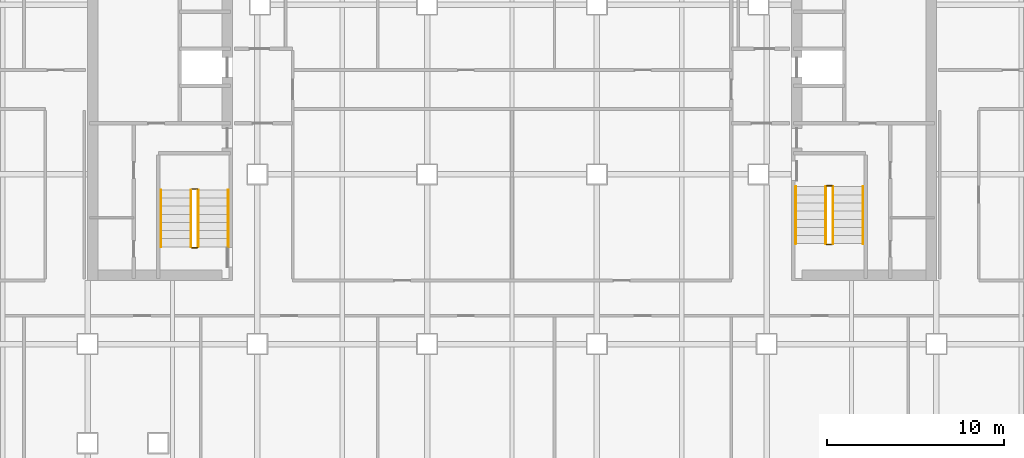
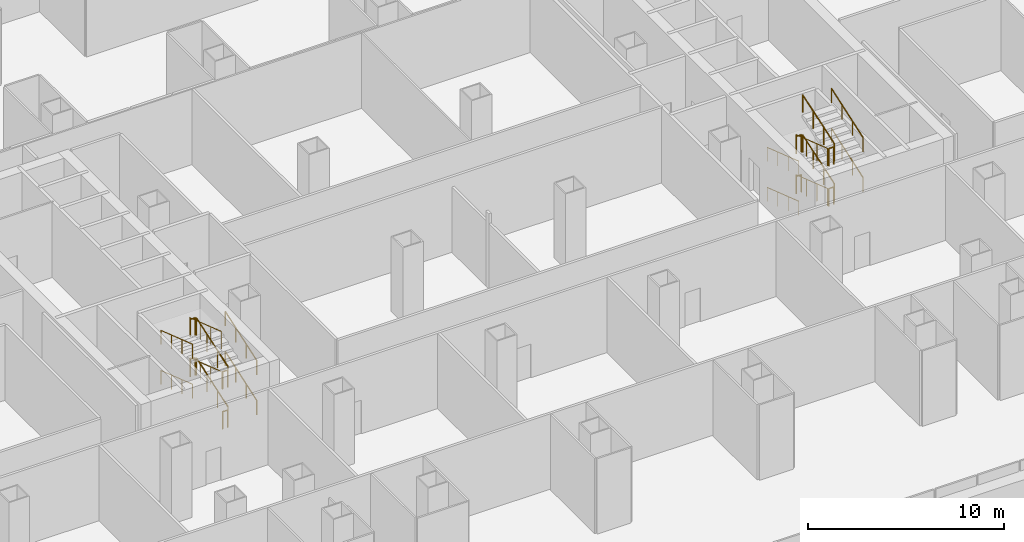
# One storey, part 11 of 11: 24 railings.
"""IFC4 building model written with IfcOpenShell, lengths in metres."""

from ifc_helpers import new_model, si_unit, direction, frame, origin, origin_2d, place, context, subcontext, project, spatial, circle, extrude, material, type_object, element, save


model = new_model("IFC4")

# Units and contexts
model_context = context("Model", 3, precision=1e-05, world=origin(), true_north=direction((0.0, 1.0)))
body_context = subcontext(model_context, "Body", "Model", "MODEL_VIEW")
ifc_project = project(units=[si_unit("LENGTHUNIT", "METRE"), si_unit("AREAUNIT", "SQUARE_METRE"), si_unit("VOLUMEUNIT", "CUBIC_METRE"), si_unit("PLANEANGLEUNIT", "RADIAN"), si_unit("MASSUNIT", "GRAM", prefix="KILO")], contexts=[model_context])

# Site, building, storey
site_placement = place(None, origin())
site = spatial("IfcSite", under=ifc_project, at=site_placement, CompositionType="ELEMENT")
building_placement = place(site_placement, origin())
building = spatial("IfcBuilding", under=site, at=building_placement, Name="Cobrizo Arcos Hotel Tower", CompositionType="ELEMENT")
storey_placement = place(building_placement, frame((0.0, 0.0, -5.0)))
storey = spatial("IfcBuildingStorey", under=building, at=storey_placement, Name="B1", CompositionType="ELEMENT", Elevation=-5.0)

# Railings
ifc_material = material(Name="Stainless steel railing", Category="steel")
railing_type_1 = type_object("IfcRailingType", Name="Stair guard 1100", PredefinedType="GUARDRAIL", material=ifc_material)
railing_1_placement = place(storey_placement, frame((-17.75, -8.89990234375, 0.15625)))
element("IfcRailing", 1, at=railing_1_placement, inside=storey, type_object=railing_type_1, Name="B1 ST-W stair guard 1", PredefinedType="GUARDRAIL", context=body_context, shape_type="SweptSolid", body=[
    extrude(circle(Radius=0.02392578125, at=origin_2d()), frame((0.0, 0.0, 1.076171875), z_axis=(0.0, 0.946865913867, 0.321628576399), x_axis=(-1.0, 0.0, 0.0)), (0.0, 0.0, 1.0), 3.400634765625),
    extrude(circle(Radius=0.02099609375, at=origin_2d()), origin(), (0.0, 0.0, 1.0), 1.052001953125),
    extrude(circle(Radius=0.02099609375, at=origin_2d()), frame((0.0, 1.0732421875, 0.364501953125)), (0.0, 0.0, 1.0), 1.052001953125),
    extrude(circle(Radius=0.02099609375, at=origin_2d()), frame((0.0, 2.146728515625, 0.729248046875)), (0.0, 0.0, 1.0), 1.052001953125),
    extrude(circle(Radius=0.02099609375, at=origin_2d()), frame((0.0, 3.219970703125, 1.09375)), (0.0, 0.0, 1.0), 1.052001953125),
])
railing_2_placement = place(storey_placement, frame((-17.800048828125, -5.6298828125, 1.25)))
element("IfcRailing", 2, at=railing_2_placement, inside=storey, type_object=railing_type_1, Name="B1 ST-W stair guard 2", PredefinedType="GUARDRAIL", context=body_context, shape_type="SweptSolid", body=[
    extrude(circle(Radius=0.02392578125, at=origin_2d()), frame((0.0, 0.0, 1.076171875), z_axis=(-1.0, 0.0, 0.0), x_axis=(0.0, -1.0, 0.0)), (0.0, 0.0, 1.0), 0.300048828125),
    extrude(circle(Radius=0.02099609375, at=origin_2d()), origin(), (0.0, 0.0, 1.0), 1.052001953125),
    extrude(circle(Radius=0.02099609375, at=origin_2d()), frame((-0.300048828125, 0.0, 0.0)), (0.0, 0.0, 1.0), 1.052001953125),
])
railing_3_placement = place(storey_placement, frame((-18.14990234375, -5.679931640625, 1.40625)))
element("IfcRailing", 3, at=railing_3_placement, inside=storey, type_object=railing_type_1, Name="B1 ST-W stair guard 3", PredefinedType="GUARDRAIL", context=body_context, shape_type="SweptSolid", body=[
    extrude(circle(Radius=0.02392578125, at=origin_2d()), frame((0.0, 0.0, 1.076171875), z_axis=(0.0, -0.946865913867, 0.321628576399), x_axis=(1.0, 0.0, 0.0)), (0.0, 0.0, 1.0), 3.400634765625),
    extrude(circle(Radius=0.02099609375, at=origin_2d()), origin(), (0.0, 0.0, 1.0), 1.052001953125),
    extrude(circle(Radius=0.02099609375, at=origin_2d()), frame((0.0, -1.0732421875, 0.364501953125)), (0.0, 0.0, 1.0), 1.052001953125),
    extrude(circle(Radius=0.02099609375, at=origin_2d()), frame((0.0, -2.146728515625, 0.729248046875)), (0.0, 0.0, 1.0), 1.052001953125),
    extrude(circle(Radius=0.02099609375, at=origin_2d()), frame((0.0, -3.219970703125, 1.09375)), (0.0, 0.0, 1.0), 1.052001953125),
])
railing_4_placement = place(storey_placement, frame((-17.800048828125, -8.949951171875, 2.5)))
element("IfcRailing", 4, at=railing_4_placement, inside=storey, type_object=railing_type_1, Name="B1 ST-W stair guard 4", PredefinedType="GUARDRAIL", context=body_context, shape_type="SweptSolid", body=[
    extrude(circle(Radius=0.02392578125, at=origin_2d()), frame((0.0, 0.0, 1.076171875), z_axis=(-1.0, 0.0, 0.0), x_axis=(0.0, -1.0, 0.0)), (0.0, 0.0, 1.0), 0.300048828125),
    extrude(circle(Radius=0.02099609375, at=origin_2d()), origin(), (0.0, 0.0, 1.0), 1.052001953125),
    extrude(circle(Radius=0.02099609375, at=origin_2d()), frame((-0.300048828125, 0.0, 0.0)), (0.0, 0.0, 1.0), 1.052001953125),
])
railing_5_placement = place(storey_placement, frame((-17.75, -8.89990234375, 2.65625)))
element("IfcRailing", 5, at=railing_5_placement, inside=storey, type_object=railing_type_1, Name="B1 ST-W stair guard 5", PredefinedType="GUARDRAIL", context=body_context, shape_type="SweptSolid", body=[
    extrude(circle(Radius=0.02392578125, at=origin_2d()), frame((0.0, 0.0, 1.076171875), z_axis=(0.0, 0.946865913867, 0.321628576399), x_axis=(-1.0, 0.0, 0.0)), (0.0, 0.0, 1.0), 3.400634765625),
    extrude(circle(Radius=0.02099609375, at=origin_2d()), origin(), (0.0, 0.0, 1.0), 1.052001953125),
    extrude(circle(Radius=0.02099609375, at=origin_2d()), frame((0.0, 1.0732421875, 0.364501953125)), (0.0, 0.0, 1.0), 1.052001953125),
    extrude(circle(Radius=0.02099609375, at=origin_2d()), frame((0.0, 2.146728515625, 0.729248046875)), (0.0, 0.0, 1.0), 1.052001953125),
    extrude(circle(Radius=0.02099609375, at=origin_2d()), frame((0.0, 3.219970703125, 1.09375)), (0.0, 0.0, 1.0), 1.052001953125),
])
railing_6_placement = place(storey_placement, frame((-17.800048828125, -5.6298828125, 3.75)))
element("IfcRailing", 6, at=railing_6_placement, inside=storey, type_object=railing_type_1, Name="B1 ST-W stair guard 6", PredefinedType="GUARDRAIL", context=body_context, shape_type="SweptSolid", body=[
    extrude(circle(Radius=0.02392578125, at=origin_2d()), frame((0.0, 0.0, 1.076171875), z_axis=(-1.0, 0.0, 0.0), x_axis=(0.0, -1.0, 0.0)), (0.0, 0.0, 1.0), 0.300048828125),
    extrude(circle(Radius=0.02099609375, at=origin_2d()), origin(), (0.0, 0.0, 1.0), 1.052001953125),
    extrude(circle(Radius=0.02099609375, at=origin_2d()), frame((-0.300048828125, 0.0, 0.0)), (0.0, 0.0, 1.0), 1.052001953125),
])
railing_7_placement = place(storey_placement, frame((-18.14990234375, -5.679931640625, 3.90625)))
element("IfcRailing", 7, at=railing_7_placement, inside=storey, type_object=railing_type_1, Name="B1 ST-W stair guard 7", PredefinedType="GUARDRAIL", context=body_context, shape_type="SweptSolid", body=[
    extrude(circle(Radius=0.02392578125, at=origin_2d()), frame((0.0, 0.0, 1.076171875), z_axis=(0.0, -0.946865913867, 0.321628576399), x_axis=(1.0, 0.0, 0.0)), (0.0, 0.0, 1.0), 3.400634765625),
    extrude(circle(Radius=0.02099609375, at=origin_2d()), origin(), (0.0, 0.0, 1.0), 1.052001953125),
    extrude(circle(Radius=0.02099609375, at=origin_2d()), frame((0.0, -1.0732421875, 0.364501953125)), (0.0, 0.0, 1.0), 1.052001953125),
    extrude(circle(Radius=0.02099609375, at=origin_2d()), frame((0.0, -2.146728515625, 0.729248046875)), (0.0, 0.0, 1.0), 1.052001953125),
    extrude(circle(Radius=0.02099609375, at=origin_2d()), frame((0.0, -3.219970703125, 1.09375)), (0.0, 0.0, 1.0), 1.052001953125),
])
railing_8_placement = place(storey_placement, frame((-17.800048828125, -8.949951171875, 0.0)))
element("IfcRailing", 8, at=railing_8_placement, inside=storey, type_object=railing_type_1, Name="B1 ST-W stair guard 8", PredefinedType="GUARDRAIL", context=body_context, shape_type="SweptSolid", body=[
    extrude(circle(Radius=0.02392578125, at=origin_2d()), frame((0.0, 0.0, 1.076171875), z_axis=(-1.0, 0.0, 0.0), x_axis=(0.0, -1.0, 0.0)), (0.0, 0.0, 1.0), 0.300048828125),
    extrude(circle(Radius=0.02099609375, at=origin_2d()), origin(), (0.0, 0.0, 1.0), 1.052001953125),
    extrude(circle(Radius=0.02099609375, at=origin_2d()), frame((-0.300048828125, 0.0, 0.0)), (0.0, 0.0, 1.0), 1.052001953125),
])
railing_9_placement = place(storey_placement, frame((17.75, -5.5, 0.15625)))
element("IfcRailing", 9, at=railing_9_placement, inside=storey, type_object=railing_type_1, Name="B1 ST-E stair guard 1", PredefinedType="GUARDRAIL", context=body_context, shape_type="SweptSolid", body=[
    extrude(circle(Radius=0.02392578125, at=origin_2d()), frame((0.0, 0.0, 1.076171875), z_axis=(0.0, -0.946865913867, 0.321628576399), x_axis=(1.0, 0.0, 0.0)), (0.0, 0.0, 1.0), 3.400634765625),
    extrude(circle(Radius=0.02099609375, at=origin_2d()), origin(), (0.0, 0.0, 1.0), 1.052001953125),
    extrude(circle(Radius=0.02099609375, at=origin_2d()), frame((0.0, -1.0732421875, 0.364501953125)), (0.0, 0.0, 1.0), 1.052001953125),
    extrude(circle(Radius=0.02099609375, at=origin_2d()), frame((0.0, -2.146728515625, 0.729248046875)), (0.0, 0.0, 1.0), 1.052001953125),
    extrude(circle(Radius=0.02099609375, at=origin_2d()), frame((0.0, -3.219970703125, 1.09375)), (0.0, 0.0, 1.0), 1.052001953125),
])
railing_10_placement = place(storey_placement, frame((17.800048828125, -8.77001953125, 1.25)))
element("IfcRailing", 10, at=railing_10_placement, inside=storey, type_object=railing_type_1, Name="B1 ST-E stair guard 2", PredefinedType="GUARDRAIL", context=body_context, shape_type="SweptSolid", body=[
    extrude(circle(Radius=0.02392578125, at=origin_2d()), frame((0.0, 0.0, 1.076171875), z_axis=(1.0, 0.0, 0.0), x_axis=(0.0, 1.0, 0.0)), (0.0, 0.0, 1.0), 0.300048828125),
    extrude(circle(Radius=0.02099609375, at=origin_2d()), origin(), (0.0, 0.0, 1.0), 1.052001953125),
    extrude(circle(Radius=0.02099609375, at=origin_2d()), frame((0.300048828125, 0.0, 0.0)), (0.0, 0.0, 1.0), 1.052001953125),
])
railing_11_placement = place(storey_placement, frame((18.14990234375, -8.719970703125, 1.40625)))
element("IfcRailing", 11, at=railing_11_placement, inside=storey, type_object=railing_type_1, Name="B1 ST-E stair guard 3", PredefinedType="GUARDRAIL", context=body_context, shape_type="SweptSolid", body=[
    extrude(circle(Radius=0.02392578125, at=origin_2d()), frame((0.0, 0.0, 1.076171875), z_axis=(0.0, 0.946865913867, 0.321628576399), x_axis=(-1.0, 0.0, 0.0)), (0.0, 0.0, 1.0), 3.400634765625),
    extrude(circle(Radius=0.02099609375, at=origin_2d()), origin(), (0.0, 0.0, 1.0), 1.052001953125),
    extrude(circle(Radius=0.02099609375, at=origin_2d()), frame((0.0, 1.0732421875, 0.364501953125)), (0.0, 0.0, 1.0), 1.052001953125),
    extrude(circle(Radius=0.02099609375, at=origin_2d()), frame((0.0, 2.146728515625, 0.729248046875)), (0.0, 0.0, 1.0), 1.052001953125),
    extrude(circle(Radius=0.02099609375, at=origin_2d()), frame((0.0, 3.219970703125, 1.09375)), (0.0, 0.0, 1.0), 1.052001953125),
])
railing_12_placement = place(storey_placement, frame((17.800048828125, -5.449951171875, 2.5)))
element("IfcRailing", 12, at=railing_12_placement, inside=storey, type_object=railing_type_1, Name="B1 ST-E stair guard 4", PredefinedType="GUARDRAIL", context=body_context, shape_type="SweptSolid", body=[
    extrude(circle(Radius=0.02392578125, at=origin_2d()), frame((0.0, 0.0, 1.076171875), z_axis=(1.0, 0.0, 0.0), x_axis=(0.0, 1.0, 0.0)), (0.0, 0.0, 1.0), 0.300048828125),
    extrude(circle(Radius=0.02099609375, at=origin_2d()), origin(), (0.0, 0.0, 1.0), 1.052001953125),
    extrude(circle(Radius=0.02099609375, at=origin_2d()), frame((0.300048828125, 0.0, 0.0)), (0.0, 0.0, 1.0), 1.052001953125),
])
railing_13_placement = place(storey_placement, frame((17.75, -5.5, 2.65625)))
element("IfcRailing", 13, at=railing_13_placement, inside=storey, type_object=railing_type_1, Name="B1 ST-E stair guard 5", PredefinedType="GUARDRAIL", context=body_context, shape_type="SweptSolid", body=[
    extrude(circle(Radius=0.02392578125, at=origin_2d()), frame((0.0, 0.0, 1.076171875), z_axis=(0.0, -0.946865913867, 0.321628576399), x_axis=(1.0, 0.0, 0.0)), (0.0, 0.0, 1.0), 3.400634765625),
    extrude(circle(Radius=0.02099609375, at=origin_2d()), origin(), (0.0, 0.0, 1.0), 1.052001953125),
    extrude(circle(Radius=0.02099609375, at=origin_2d()), frame((0.0, -1.0732421875, 0.364501953125)), (0.0, 0.0, 1.0), 1.052001953125),
    extrude(circle(Radius=0.02099609375, at=origin_2d()), frame((0.0, -2.146728515625, 0.729248046875)), (0.0, 0.0, 1.0), 1.052001953125),
    extrude(circle(Radius=0.02099609375, at=origin_2d()), frame((0.0, -3.219970703125, 1.09375)), (0.0, 0.0, 1.0), 1.052001953125),
])
railing_14_placement = place(storey_placement, frame((17.800048828125, -8.77001953125, 3.75)))
element("IfcRailing", 14, at=railing_14_placement, inside=storey, type_object=railing_type_1, Name="B1 ST-E stair guard 6", PredefinedType="GUARDRAIL", context=body_context, shape_type="SweptSolid", body=[
    extrude(circle(Radius=0.02392578125, at=origin_2d()), frame((0.0, 0.0, 1.076171875), z_axis=(1.0, 0.0, 0.0), x_axis=(0.0, 1.0, 0.0)), (0.0, 0.0, 1.0), 0.300048828125),
    extrude(circle(Radius=0.02099609375, at=origin_2d()), origin(), (0.0, 0.0, 1.0), 1.052001953125),
    extrude(circle(Radius=0.02099609375, at=origin_2d()), frame((0.300048828125, 0.0, 0.0)), (0.0, 0.0, 1.0), 1.052001953125),
])
railing_15_placement = place(storey_placement, frame((18.14990234375, -8.719970703125, 3.90625)))
element("IfcRailing", 15, at=railing_15_placement, inside=storey, type_object=railing_type_1, Name="B1 ST-E stair guard 7", PredefinedType="GUARDRAIL", context=body_context, shape_type="SweptSolid", body=[
    extrude(circle(Radius=0.02392578125, at=origin_2d()), frame((0.0, 0.0, 1.076171875), z_axis=(0.0, 0.946865913867, 0.321628576399), x_axis=(-1.0, 0.0, 0.0)), (0.0, 0.0, 1.0), 3.400634765625),
    extrude(circle(Radius=0.02099609375, at=origin_2d()), origin(), (0.0, 0.0, 1.0), 1.052001953125),
    extrude(circle(Radius=0.02099609375, at=origin_2d()), frame((0.0, 1.0732421875, 0.364501953125)), (0.0, 0.0, 1.0), 1.052001953125),
    extrude(circle(Radius=0.02099609375, at=origin_2d()), frame((0.0, 2.146728515625, 0.729248046875)), (0.0, 0.0, 1.0), 1.052001953125),
    extrude(circle(Radius=0.02099609375, at=origin_2d()), frame((0.0, 3.219970703125, 1.09375)), (0.0, 0.0, 1.0), 1.052001953125),
])
railing_16_placement = place(storey_placement, frame((17.800048828125, -5.449951171875, 0.0)))
element("IfcRailing", 16, at=railing_16_placement, inside=storey, type_object=railing_type_1, Name="B1 ST-E stair guard 8", PredefinedType="GUARDRAIL", context=body_context, shape_type="SweptSolid", body=[
    extrude(circle(Radius=0.02392578125, at=origin_2d()), frame((0.0, 0.0, 1.076171875), z_axis=(1.0, 0.0, 0.0), x_axis=(0.0, 1.0, 0.0)), (0.0, 0.0, 1.0), 0.300048828125),
    extrude(circle(Radius=0.02099609375, at=origin_2d()), origin(), (0.0, 0.0, 1.0), 1.052001953125),
    extrude(circle(Radius=0.02099609375, at=origin_2d()), frame((0.300048828125, 0.0, 0.0)), (0.0, 0.0, 1.0), 1.052001953125),
])
railing_type_2 = type_object("IfcRailingType", Name="Stair handrail", PredefinedType="HANDRAIL", material=ifc_material)
railing_17_placement = place(storey_placement, frame((-16.050048828125, -8.89990234375, 0.15625)))
element("IfcRailing", 17, at=railing_17_placement, inside=storey, type_object=railing_type_2, Name="B1 ST-W stair handrail 1", PredefinedType="HANDRAIL", context=body_context, shape_type="SweptSolid", body=[
    extrude(circle(Radius=0.02392578125, at=origin_2d()), frame((0.0, 0.0, 0.8759765625), z_axis=(0.0, 0.946865913867, 0.321628576399), x_axis=(-1.0, 0.0, 0.0)), (0.0, 0.0, 1.0), 3.400634765625),
    extrude(circle(Radius=0.02099609375, at=origin_2d()), origin(), (0.0, 0.0, 1.0), 0.851806640625),
    extrude(circle(Radius=0.02099609375, at=origin_2d()), frame((0.0, 1.0732421875, 0.364501953125)), (0.0, 0.0, 1.0), 0.851806640625),
    extrude(circle(Radius=0.02099609375, at=origin_2d()), frame((0.0, 2.146728515625, 0.729248046875)), (0.0, 0.0, 1.0), 0.851806640625),
    extrude(circle(Radius=0.02099609375, at=origin_2d()), frame((0.0, 3.219970703125, 1.09375)), (0.0, 0.0, 1.0), 0.851806640625),
])
railing_18_placement = place(storey_placement, frame((-19.85009765625, -5.679931640625, 1.40625)))
element("IfcRailing", 18, at=railing_18_placement, inside=storey, type_object=railing_type_2, Name="B1 ST-W stair handrail 2", PredefinedType="HANDRAIL", context=body_context, shape_type="SweptSolid", body=[
    extrude(circle(Radius=0.02392578125, at=origin_2d()), frame((0.0, 0.0, 0.8759765625), z_axis=(0.0, -0.946865913867, 0.321628576399), x_axis=(1.0, 0.0, 0.0)), (0.0, 0.0, 1.0), 3.400634765625),
    extrude(circle(Radius=0.02099609375, at=origin_2d()), origin(), (0.0, 0.0, 1.0), 0.851806640625),
    extrude(circle(Radius=0.02099609375, at=origin_2d()), frame((0.0, -1.0732421875, 0.364501953125)), (0.0, 0.0, 1.0), 0.851806640625),
    extrude(circle(Radius=0.02099609375, at=origin_2d()), frame((0.0, -2.146728515625, 0.729248046875)), (0.0, 0.0, 1.0), 0.851806640625),
    extrude(circle(Radius=0.02099609375, at=origin_2d()), frame((0.0, -3.219970703125, 1.09375)), (0.0, 0.0, 1.0), 0.851806640625),
])
railing_19_placement = place(storey_placement, frame((-16.050048828125, -8.89990234375, 2.65625)))
element("IfcRailing", 19, at=railing_19_placement, inside=storey, type_object=railing_type_2, Name="B1 ST-W stair handrail 3", PredefinedType="HANDRAIL", context=body_context, shape_type="SweptSolid", body=[
    extrude(circle(Radius=0.02392578125, at=origin_2d()), frame((0.0, 0.0, 0.8759765625), z_axis=(0.0, 0.946865913867, 0.321628576399), x_axis=(-1.0, 0.0, 0.0)), (0.0, 0.0, 1.0), 3.400634765625),
    extrude(circle(Radius=0.02099609375, at=origin_2d()), origin(), (0.0, 0.0, 1.0), 0.851806640625),
    extrude(circle(Radius=0.02099609375, at=origin_2d()), frame((0.0, 1.0732421875, 0.364501953125)), (0.0, 0.0, 1.0), 0.851806640625),
    extrude(circle(Radius=0.02099609375, at=origin_2d()), frame((0.0, 2.146728515625, 0.729248046875)), (0.0, 0.0, 1.0), 0.851806640625),
    extrude(circle(Radius=0.02099609375, at=origin_2d()), frame((0.0, 3.219970703125, 1.09375)), (0.0, 0.0, 1.0), 0.851806640625),
])
for number, where, name in (
    (20, (-19.85009765625, -5.679931640625, 3.90625), "B1 ST-W stair handrail 4"),
    (21, (16.050048828125, -5.5, 0.15625), "B1 ST-E stair handrail 1"),
):
    element("IfcRailing", number, at=place(storey_placement, frame(where)), inside=storey, type_object=railing_type_2, Name=name, PredefinedType="HANDRAIL", context=body_context, shape_type="SweptSolid", body=[
        extrude(circle(Radius=0.02392578125, at=origin_2d()), frame((0.0, 0.0, 0.8759765625), z_axis=(0.0, -0.946865913867, 0.321628576399), x_axis=(1.0, 0.0, 0.0)), (0.0, 0.0, 1.0), 3.400634765625),
        extrude(circle(Radius=0.02099609375, at=origin_2d()), origin(), (0.0, 0.0, 1.0), 0.851806640625),
        extrude(circle(Radius=0.02099609375, at=origin_2d()), frame((0.0, -1.0732421875, 0.364501953125)), (0.0, 0.0, 1.0), 0.851806640625),
        extrude(circle(Radius=0.02099609375, at=origin_2d()), frame((0.0, -2.146728515625, 0.729248046875)), (0.0, 0.0, 1.0), 0.851806640625),
        extrude(circle(Radius=0.02099609375, at=origin_2d()), frame((0.0, -3.219970703125, 1.09375)), (0.0, 0.0, 1.0), 0.851806640625),
    ])
railing_20_placement = place(storey_placement, frame((19.85009765625, -8.719970703125, 1.40625)))
element("IfcRailing", 22, at=railing_20_placement, inside=storey, type_object=railing_type_2, Name="B1 ST-E stair handrail 2", PredefinedType="HANDRAIL", context=body_context, shape_type="SweptSolid", body=[
    extrude(circle(Radius=0.02392578125, at=origin_2d()), frame((0.0, 0.0, 0.8759765625), z_axis=(0.0, 0.946865913867, 0.321628576399), x_axis=(-1.0, 0.0, 0.0)), (0.0, 0.0, 1.0), 3.400634765625),
    extrude(circle(Radius=0.02099609375, at=origin_2d()), origin(), (0.0, 0.0, 1.0), 0.851806640625),
    extrude(circle(Radius=0.02099609375, at=origin_2d()), frame((0.0, 1.0732421875, 0.364501953125)), (0.0, 0.0, 1.0), 0.851806640625),
    extrude(circle(Radius=0.02099609375, at=origin_2d()), frame((0.0, 2.146728515625, 0.729248046875)), (0.0, 0.0, 1.0), 0.851806640625),
    extrude(circle(Radius=0.02099609375, at=origin_2d()), frame((0.0, 3.219970703125, 1.09375)), (0.0, 0.0, 1.0), 0.851806640625),
])
railing_21_placement = place(storey_placement, frame((16.050048828125, -5.5, 2.65625)))
element("IfcRailing", 23, at=railing_21_placement, inside=storey, type_object=railing_type_2, Name="B1 ST-E stair handrail 3", PredefinedType="HANDRAIL", context=body_context, shape_type="SweptSolid", body=[
    extrude(circle(Radius=0.02392578125, at=origin_2d()), frame((0.0, 0.0, 0.8759765625), z_axis=(0.0, -0.946865913867, 0.321628576399), x_axis=(1.0, 0.0, 0.0)), (0.0, 0.0, 1.0), 3.400634765625),
    extrude(circle(Radius=0.02099609375, at=origin_2d()), origin(), (0.0, 0.0, 1.0), 0.851806640625),
    extrude(circle(Radius=0.02099609375, at=origin_2d()), frame((0.0, -1.0732421875, 0.364501953125)), (0.0, 0.0, 1.0), 0.851806640625),
    extrude(circle(Radius=0.02099609375, at=origin_2d()), frame((0.0, -2.146728515625, 0.729248046875)), (0.0, 0.0, 1.0), 0.851806640625),
    extrude(circle(Radius=0.02099609375, at=origin_2d()), frame((0.0, -3.219970703125, 1.09375)), (0.0, 0.0, 1.0), 0.851806640625),
])
railing_22_placement = place(storey_placement, frame((19.85009765625, -8.719970703125, 3.90625)))
element("IfcRailing", 24, at=railing_22_placement, inside=storey, type_object=railing_type_2, Name="B1 ST-E stair handrail 4", PredefinedType="HANDRAIL", context=body_context, shape_type="SweptSolid", body=[
    extrude(circle(Radius=0.02392578125, at=origin_2d()), frame((0.0, 0.0, 0.8759765625), z_axis=(0.0, 0.946865913867, 0.321628576399), x_axis=(-1.0, 0.0, 0.0)), (0.0, 0.0, 1.0), 3.400634765625),
    extrude(circle(Radius=0.02099609375, at=origin_2d()), origin(), (0.0, 0.0, 1.0), 0.851806640625),
    extrude(circle(Radius=0.02099609375, at=origin_2d()), frame((0.0, 1.0732421875, 0.364501953125)), (0.0, 0.0, 1.0), 0.851806640625),
    extrude(circle(Radius=0.02099609375, at=origin_2d()), frame((0.0, 2.146728515625, 0.729248046875)), (0.0, 0.0, 1.0), 0.851806640625),
    extrude(circle(Radius=0.02099609375, at=origin_2d()), frame((0.0, 3.219970703125, 1.09375)), (0.0, 0.0, 1.0), 0.851806640625),
])

save(model, "model.ifc")
